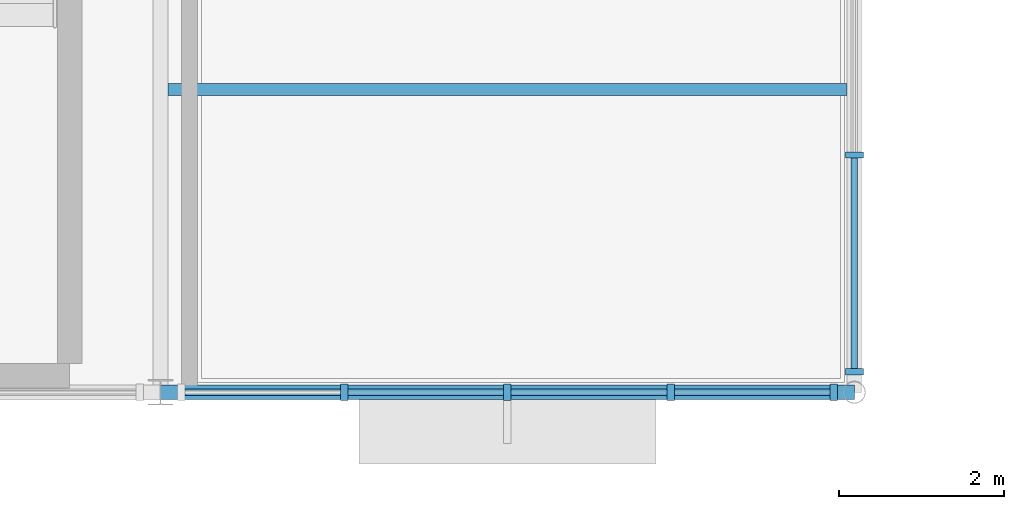
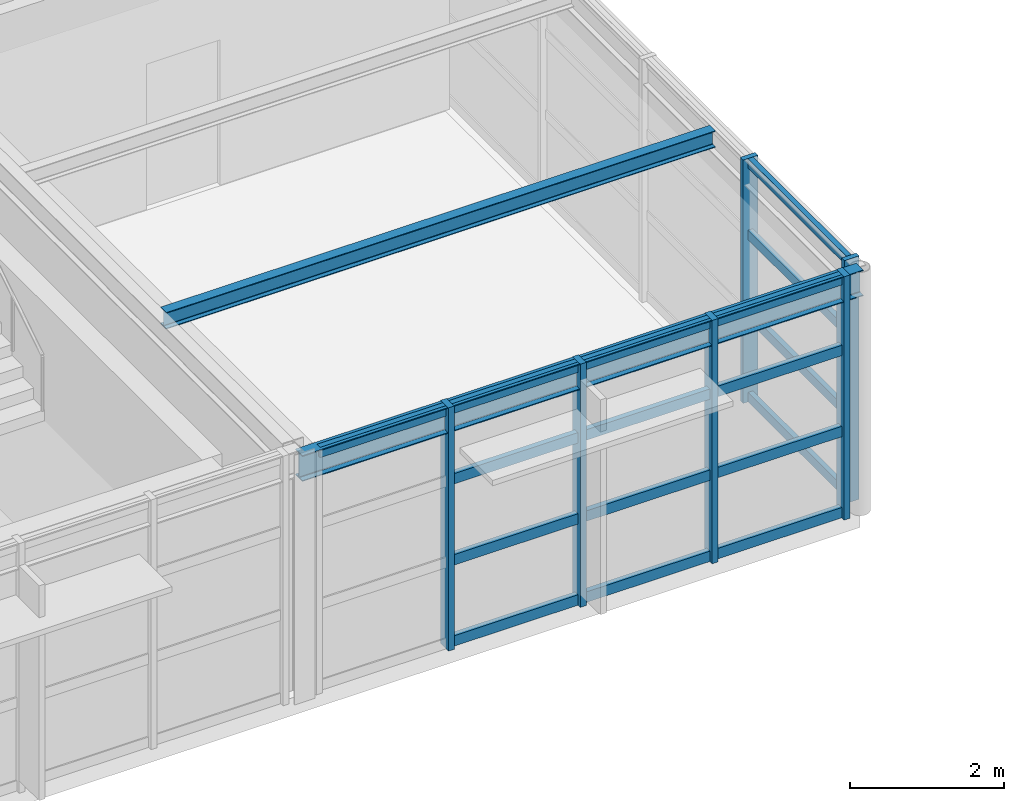
# One storey, part 7 of 21: 23 members, 2 beams, 2 elements without a shape of their own.
"""IFC4 building model written with IfcOpenShell, lengths in metres."""

from ifc_helpers import new_model, si_unit, direction, frame, origin, origin_2d, place, context, subcontext, project, spatial, rectangle, i_section, extrude, material, layer, layer_set, material_profile, profile_set, type_object, element, aggregate, save


model = new_model("IFC4")

# Units and contexts
model_context = context("Model", 3, precision=1e-05, world=origin(), true_north=direction((0.0, 1.0)))
body_context = subcontext(model_context, "Body", "Model", "MODEL_VIEW")
ifc_project = project(units=[si_unit("LENGTHUNIT", "METRE"), si_unit("AREAUNIT", "SQUARE_METRE"), si_unit("VOLUMEUNIT", "CUBIC_METRE"), si_unit("PLANEANGLEUNIT", "RADIAN"), si_unit("MASSUNIT", "GRAM", prefix="KILO")], contexts=[model_context])

# Site, building, storey
site_placement = place(None, origin())
site = spatial("IfcSite", under=ifc_project, at=site_placement, CompositionType="ELEMENT")
building_placement = place(site_placement, origin())
building = spatial("IfcBuilding", under=site, at=building_placement, Name="Sitalva Quay Ferry Terminal", CompositionType="ELEMENT")
storey_placement = place(building_placement, frame((0.0, 0.0, 14.39990234375)))
storey = spatial("IfcBuildingStorey", under=building, at=storey_placement, Name="L04", CompositionType="ELEMENT", Elevation=14.39990234375)

# Beams
ifc_material_1 = material(Name="Structural Steel S355JR", Category="steel")
ifc_material_profile_1 = material_profile(ifc_material_1, i_section(OverallWidth=0.178955078125, OverallDepth=0.409912109375, WebThickness=0.0087890625, FlangeThickness=0.014404296875, FilletRadius=0.012939453125, at=origin_2d()), Name="W410x67")
ifc_profile_set_1 = profile_set([ifc_material_profile_1], Name="Structural Steel S355JR")
beam_type_1 = type_object("IfcBeamType", Name="Beam_W410x67", PredefinedType="BEAM", material=ifc_profile_set_1)
beam_1_placement = place(storey_placement, frame((117.60009765625, 78.0, 3.64501953125), z_axis=(1.0, 0.0, 0.0), x_axis=(0.0, 1.0, 0.0)))
element("IfcBeam", 1, at=beam_1_placement, inside=storey, type_object=beam_type_1, Name="L04 Primary X girder 1387", PredefinedType="BEAM", context=body_context, shape_type="SweptSolid", body=[
    extrude(i_section(OverallWidth=0.178955078125, OverallDepth=0.409912109375, WebThickness=0.0087890625, FlangeThickness=0.014404296875, FilletRadius=0.012939453125, at=origin_2d()), origin(), (0.0, 0.0, 1.0), 8.39990234375),
])
ifc_material_2 = material(Name="Structural Steel S355JR", Category="steel")
ifc_material_profile_2 = material_profile(ifc_material_2, i_section(OverallWidth=0.14697265625, OverallDepth=0.261962890625, WebThickness=0.006591796875, FlangeThickness=0.01123046875, FilletRadius=0.010009765625, at=origin_2d()), Name="W250x39")
ifc_profile_set_2 = profile_set([ifc_material_profile_2], Name="Structural Steel S355JR")
beam_type_2 = type_object("IfcBeamType", Name="Joist_W250x39", PredefinedType="JOIST", material=ifc_profile_set_2)
beam_2_placement = place(storey_placement, frame((117.689453125, 81.666748046875, 3.718994140625), z_axis=(1.0, 0.0, 0.0), x_axis=(0.0, 1.0, 0.0)))
element("IfcBeam", 2, at=beam_2_placement, inside=storey, type_object=beam_type_2, Name="L04 Secondary joist 1394", PredefinedType="JOIST", context=body_context, shape_type="SweptSolid", body=[
    extrude(i_section(OverallWidth=0.14697265625, OverallDepth=0.261962890625, WebThickness=0.006591796875, FlangeThickness=0.01123046875, FilletRadius=0.010009765625, at=origin_2d()), origin(), (0.0, 0.0, 1.0), 8.220947265625),
])

# Curtain wall, members
ifc_material_3 = material(Name="Anodised Aluminium & Low-E Glazing", Category="aluminium")
ifc_layer_1 = layer(ifc_material_3, 0.159912109375)
ifc_layer_set_1 = layer_set([ifc_layer_1], Name="Anodised Aluminium & Low-E Glazing")
curtain_wall_type_1 = type_object("IfcCurtainWallType", Name="CW_Office_Unitised", PredefinedType="USERDEFINED", material=ifc_layer_set_1)
curtain_wall_1_placement = place(storey_placement, origin())
curtain_wall_1 = element("IfcCurtainWall", 3, at=curtain_wall_1_placement, inside=storey, type_object=curtain_wall_type_1, Name="L04 pilotage east glazing (CW-L04-138)", ObjectType="CURTAIN_WALL", PredefinedType="USERDEFINED")
ifc_material_4 = material(Name="Anodised Aluminium 6063-T6", Category="aluminium")
ifc_material_profile_3 = material_profile(ifc_material_4, rectangle(XDim=0.074951171875, YDim=0.219970703125, at=origin_2d()), Name="ALU75x220")
ifc_profile_set_3 = profile_set([ifc_material_profile_3], Name="Anodised Aluminium 6063-T6")
member_type_1 = type_object("IfcMemberType", Name="Mullion_Alu_75x160", PredefinedType="MULLION", material=ifc_profile_set_3)
member_1_placement = place(storey_placement, frame((126.0, 78.25, 0.0), z_axis=(0.0, 0.0, 1.0), x_axis=(0.0, 1.0, 0.0)))
member_1 = element("IfcMember", 4, at=member_1_placement, type_object=member_type_1, Name="CW-L04-138-M0", PredefinedType="MULLION", context=body_context, shape_type="SweptSolid", body=[
    extrude(rectangle(XDim=0.074951171875, YDim=0.219970703125, at=origin_2d()), origin(), (0.0, 0.0, 1.0), 3.85009765625),
])
member_2_placement = place(storey_placement, frame((126.0, 80.875, 0.0), z_axis=(0.0, 0.0, 1.0), x_axis=(0.0, 1.0, 0.0)))
member_2 = element("IfcMember", 5, at=member_2_placement, type_object=member_type_1, Name="CW-L04-138-M1", PredefinedType="MULLION", context=body_context, shape_type="SweptSolid", body=[
    extrude(rectangle(XDim=0.074951171875, YDim=0.219970703125, at=origin_2d()), origin(), (0.0, 0.0, 1.0), 3.85009765625),
])

ifc_material_5 = material(Name="Anodised Aluminium & Low-E Glazing", Category="aluminium")
ifc_layer_2 = layer(ifc_material_5, 0.159912109375)
ifc_layer_set_2 = layer_set([ifc_layer_2], Name="Anodised Aluminium & Low-E Glazing")
curtain_wall_type_2 = type_object("IfcCurtainWallType", Name="CW_VTS_Sloped", PredefinedType="USERDEFINED", material=ifc_layer_set_2)
curtain_wall_2_placement = place(storey_placement, origin())
curtain_wall_2 = element("IfcCurtainWall", 6, at=curtain_wall_2_placement, inside=storey, type_object=curtain_wall_type_2, Name="L04 river navigation south glazing (CW-L04-148)", ObjectType="CURTAIN_WALL", PredefinedType="USERDEFINED")
ifc_material_6 = material(Name="Anodised Aluminium 6063-T6", Category="aluminium")
ifc_material_profile_4 = material_profile(ifc_material_6, rectangle(XDim=0.090087890625, YDim=0.199951171875, at=origin_2d()), Name="ALU90x200")
ifc_profile_set_4 = profile_set([ifc_material_profile_4], Name="Anodised Aluminium 6063-T6")
member_type_2 = type_object("IfcMemberType", Name="Mullion_Alu_90x200", PredefinedType="MULLION", material=ifc_profile_set_4)
member_3_placement = place(storey_placement, frame((119.824951171875, 78.0, 0.0), z_axis=(0.0, 0.0, 1.0), x_axis=(1.0, 0.0, 0.0)))
member_3 = element("IfcMember", 7, at=member_3_placement, type_object=member_type_2, Name="CW-L04-148-M1", PredefinedType="MULLION", context=body_context, shape_type="SweptSolid", body=[
    extrude(rectangle(XDim=0.090087890625, YDim=0.199951171875, at=origin_2d()), origin(), (0.0, 0.0, 1.0), 3.85009765625),
])
member_4_placement = place(storey_placement, frame((121.800048828125, 78.0, 0.0), z_axis=(0.0, 0.0, 1.0), x_axis=(1.0, 0.0, 0.0)))
member_4 = element("IfcMember", 8, at=member_4_placement, type_object=member_type_2, Name="CW-L04-148-M2", PredefinedType="MULLION", context=body_context, shape_type="SweptSolid", body=[
    extrude(rectangle(XDim=0.090087890625, YDim=0.199951171875, at=origin_2d()), origin(), (0.0, 0.0, 1.0), 3.85009765625),
])
member_5_placement = place(storey_placement, frame((123.77490234375, 78.0, 0.0), z_axis=(0.0, 0.0, 1.0), x_axis=(1.0, 0.0, 0.0)))
member_5 = element("IfcMember", 9, at=member_5_placement, type_object=member_type_2, Name="CW-L04-148-M3", PredefinedType="MULLION", context=body_context, shape_type="SweptSolid", body=[
    extrude(rectangle(XDim=0.090087890625, YDim=0.199951171875, at=origin_2d()), origin(), (0.0, 0.0, 1.0), 3.85009765625),
])
member_6_placement = place(storey_placement, frame((125.75, 78.0, 0.0), z_axis=(0.0, 0.0, 1.0), x_axis=(1.0, 0.0, 0.0)))
member_6 = element("IfcMember", 10, at=member_6_placement, type_object=member_type_2, Name="CW-L04-148-M4", PredefinedType="MULLION", context=body_context, shape_type="SweptSolid", body=[
    extrude(rectangle(XDim=0.090087890625, YDim=0.199951171875, at=origin_2d()), origin(), (0.0, 0.0, 1.0), 3.85009765625),
])

# Member
ifc_material_7 = material(Name="Anodised Aluminium 6063-T6", Category="aluminium")
ifc_material_profile_5 = material_profile(ifc_material_7, rectangle(XDim=0.074951171875, YDim=0.14990234375, at=origin_2d()), Name="ALU75x150")
ifc_profile_set_5 = profile_set([ifc_material_profile_5], Name="Anodised Aluminium 6063-T6")
member_type_3 = type_object("IfcMemberType", Name="Transom_Alu_75x140", PredefinedType="MULLION", material=ifc_profile_set_5)
member_7_placement = place(storey_placement, frame((126.0, 78.28759765625, 0.0751953125), z_axis=(0.0, 1.0, 0.0), x_axis=(-1.0, 0.0, 0.0)))
member_7 = element("IfcMember", 11, at=member_7_placement, type_object=member_type_3, Name="CW-L04-138-T0-0", ObjectType="TRANSOM", PredefinedType="USERDEFINED", context=body_context, shape_type="SweptSolid", body=[
    extrude(rectangle(XDim=0.074951171875, YDim=0.14990234375, at=origin_2d()), origin(), (0.0, 0.0, 1.0), 2.5498046875),
])

member_8_placement = place(storey_placement, frame((126.0, 78.28759765625, 1.3583984375), z_axis=(0.0, 1.0, 0.0), x_axis=(-1.0, 0.0, 0.0)))
member_8 = element("IfcMember", 12, at=member_8_placement, type_object=member_type_3, Name="CW-L04-138-T0-1", ObjectType="TRANSOM", PredefinedType="USERDEFINED", context=body_context, shape_type="SweptSolid", body=[
    extrude(rectangle(XDim=0.074951171875, YDim=0.14990234375, at=origin_2d()), origin(), (0.0, 0.0, 1.0), 2.5498046875),
])

member_9_placement = place(storey_placement, frame((126.0, 78.28759765625, 2.641845703125), z_axis=(0.0, 1.0, 0.0), x_axis=(-1.0, 0.0, 0.0)))
member_9 = element("IfcMember", 13, at=member_9_placement, type_object=member_type_3, Name="CW-L04-138-T0-2", ObjectType="TRANSOM", PredefinedType="USERDEFINED", context=body_context, shape_type="SweptSolid", body=[
    extrude(rectangle(XDim=0.074951171875, YDim=0.14990234375, at=origin_2d()), origin(), (0.0, 0.0, 1.0), 2.5498046875),
])

member_10_placement = place(storey_placement, frame((126.0, 78.28759765625, 3.775146484375), z_axis=(0.0, 1.0, 0.0), x_axis=(-1.0, 0.0, 0.0)))
member_10 = element("IfcMember", 14, at=member_10_placement, type_object=member_type_3, Name="CW-L04-138-T0-3", ObjectType="TRANSOM", PredefinedType="USERDEFINED", context=body_context, shape_type="SweptSolid", body=[
    extrude(rectangle(XDim=0.074951171875, YDim=0.14990234375, at=origin_2d()), origin(), (0.0, 0.0, 1.0), 2.5498046875),
])

aggregate(curtain_wall_1, [member_1, member_2, member_7, member_8, member_9, member_10])

ifc_material_8 = material(Name="Anodised Aluminium 6063-T6", Category="aluminium")
ifc_material_profile_6 = material_profile(ifc_material_8, rectangle(XDim=0.080078125, YDim=0.1650390625, at=origin_2d()), Name="ALU80x165")
ifc_profile_set_6 = profile_set([ifc_material_profile_6], Name="Anodised Aluminium 6063-T6")
member_type_4 = type_object("IfcMemberType", Name="Transom_Alu_80x165", PredefinedType="MULLION", material=ifc_profile_set_6)
member_11_placement = place(storey_placement, frame((117.89501953125, 78.0, 3.767578125), z_axis=(1.0, 0.0, 0.0), x_axis=(0.0, 1.0, 0.0)))
member_11 = element("IfcMember", 15, at=member_11_placement, type_object=member_type_4, Name="CW-L04-148-T0-3", ObjectType="TRANSOM", PredefinedType="USERDEFINED", context=body_context, shape_type="SweptSolid", body=[
    extrude(rectangle(XDim=0.080078125, YDim=0.1650390625, at=origin_2d()), origin(), (0.0, 0.0, 1.0), 1.885009765625),
])

member_12_placement = place(storey_placement, frame((119.8701171875, 78.0, 0.08251953125), z_axis=(1.0, 0.0, 0.0), x_axis=(0.0, 1.0, 0.0)))
member_12 = element("IfcMember", 16, at=member_12_placement, type_object=member_type_4, Name="CW-L04-148-T1-0", ObjectType="TRANSOM", PredefinedType="USERDEFINED", context=body_context, shape_type="SweptSolid", body=[
    extrude(rectangle(XDim=0.080078125, YDim=0.1650390625, at=origin_2d()), origin(), (0.0, 0.0, 1.0), 1.884765625),
])

member_13_placement = place(storey_placement, frame((119.8701171875, 78.0, 1.365966796875), z_axis=(1.0, 0.0, 0.0), x_axis=(0.0, 1.0, 0.0)))
member_13 = element("IfcMember", 17, at=member_13_placement, type_object=member_type_4, Name="CW-L04-148-T1-1", ObjectType="TRANSOM", PredefinedType="USERDEFINED", context=body_context, shape_type="SweptSolid", body=[
    extrude(rectangle(XDim=0.080078125, YDim=0.1650390625, at=origin_2d()), origin(), (0.0, 0.0, 1.0), 1.884765625),
])

member_14_placement = place(storey_placement, frame((119.8701171875, 78.0, 2.649169921875), z_axis=(1.0, 0.0, 0.0), x_axis=(0.0, 1.0, 0.0)))
member_14 = element("IfcMember", 18, at=member_14_placement, type_object=member_type_4, Name="CW-L04-148-T1-2", ObjectType="TRANSOM", PredefinedType="USERDEFINED", context=body_context, shape_type="SweptSolid", body=[
    extrude(rectangle(XDim=0.080078125, YDim=0.1650390625, at=origin_2d()), origin(), (0.0, 0.0, 1.0), 1.884765625),
])

member_15_placement = place(storey_placement, frame((119.8701171875, 78.0, 3.767578125), z_axis=(1.0, 0.0, 0.0), x_axis=(0.0, 1.0, 0.0)))
member_15 = element("IfcMember", 19, at=member_15_placement, type_object=member_type_4, Name="CW-L04-148-T1-3", ObjectType="TRANSOM", PredefinedType="USERDEFINED", context=body_context, shape_type="SweptSolid", body=[
    extrude(rectangle(XDim=0.080078125, YDim=0.1650390625, at=origin_2d()), origin(), (0.0, 0.0, 1.0), 1.884765625),
])

member_16_placement = place(storey_placement, frame((121.844970703125, 78.0, 0.08251953125), z_axis=(1.0, 0.0, 0.0), x_axis=(0.0, 1.0, 0.0)))
member_16 = element("IfcMember", 20, at=member_16_placement, type_object=member_type_4, Name="CW-L04-148-T2-0", ObjectType="TRANSOM", PredefinedType="USERDEFINED", context=body_context, shape_type="SweptSolid", body=[
    extrude(rectangle(XDim=0.080078125, YDim=0.1650390625, at=origin_2d()), origin(), (0.0, 0.0, 1.0), 1.885009765625),
])

member_17_placement = place(storey_placement, frame((121.844970703125, 78.0, 1.365966796875), z_axis=(1.0, 0.0, 0.0), x_axis=(0.0, 1.0, 0.0)))
member_17 = element("IfcMember", 21, at=member_17_placement, type_object=member_type_4, Name="CW-L04-148-T2-1", ObjectType="TRANSOM", PredefinedType="USERDEFINED", context=body_context, shape_type="SweptSolid", body=[
    extrude(rectangle(XDim=0.080078125, YDim=0.1650390625, at=origin_2d()), origin(), (0.0, 0.0, 1.0), 1.885009765625),
])

member_18_placement = place(storey_placement, frame((121.844970703125, 78.0, 2.649169921875), z_axis=(1.0, 0.0, 0.0), x_axis=(0.0, 1.0, 0.0)))
member_18 = element("IfcMember", 22, at=member_18_placement, type_object=member_type_4, Name="CW-L04-148-T2-2", ObjectType="TRANSOM", PredefinedType="USERDEFINED", context=body_context, shape_type="SweptSolid", body=[
    extrude(rectangle(XDim=0.080078125, YDim=0.1650390625, at=origin_2d()), origin(), (0.0, 0.0, 1.0), 1.885009765625),
])

member_19_placement = place(storey_placement, frame((121.844970703125, 78.0, 3.767578125), z_axis=(1.0, 0.0, 0.0), x_axis=(0.0, 1.0, 0.0)))
member_19 = element("IfcMember", 23, at=member_19_placement, type_object=member_type_4, Name="CW-L04-148-T2-3", ObjectType="TRANSOM", PredefinedType="USERDEFINED", context=body_context, shape_type="SweptSolid", body=[
    extrude(rectangle(XDim=0.080078125, YDim=0.1650390625, at=origin_2d()), origin(), (0.0, 0.0, 1.0), 1.885009765625),
])

member_20_placement = place(storey_placement, frame((123.820068359375, 78.0, 0.08251953125), z_axis=(1.0, 0.0, 0.0), x_axis=(0.0, 1.0, 0.0)))
member_20 = element("IfcMember", 24, at=member_20_placement, type_object=member_type_4, Name="CW-L04-148-T3-0", ObjectType="TRANSOM", PredefinedType="USERDEFINED", context=body_context, shape_type="SweptSolid", body=[
    extrude(rectangle(XDim=0.080078125, YDim=0.1650390625, at=origin_2d()), origin(), (0.0, 0.0, 1.0), 1.885009765625),
])

member_21_placement = place(storey_placement, frame((123.820068359375, 78.0, 1.365966796875), z_axis=(1.0, 0.0, 0.0), x_axis=(0.0, 1.0, 0.0)))
member_21 = element("IfcMember", 25, at=member_21_placement, type_object=member_type_4, Name="CW-L04-148-T3-1", ObjectType="TRANSOM", PredefinedType="USERDEFINED", context=body_context, shape_type="SweptSolid", body=[
    extrude(rectangle(XDim=0.080078125, YDim=0.1650390625, at=origin_2d()), origin(), (0.0, 0.0, 1.0), 1.885009765625),
])

member_22_placement = place(storey_placement, frame((123.820068359375, 78.0, 2.649169921875), z_axis=(1.0, 0.0, 0.0), x_axis=(0.0, 1.0, 0.0)))
member_22 = element("IfcMember", 26, at=member_22_placement, type_object=member_type_4, Name="CW-L04-148-T3-2", ObjectType="TRANSOM", PredefinedType="USERDEFINED", context=body_context, shape_type="SweptSolid", body=[
    extrude(rectangle(XDim=0.080078125, YDim=0.1650390625, at=origin_2d()), origin(), (0.0, 0.0, 1.0), 1.885009765625),
])

member_23_placement = place(storey_placement, frame((123.820068359375, 78.0, 3.767578125), z_axis=(1.0, 0.0, 0.0), x_axis=(0.0, 1.0, 0.0)))
member_23 = element("IfcMember", 27, at=member_23_placement, type_object=member_type_4, Name="CW-L04-148-T3-3", ObjectType="TRANSOM", PredefinedType="USERDEFINED", context=body_context, shape_type="SweptSolid", body=[
    extrude(rectangle(XDim=0.080078125, YDim=0.1650390625, at=origin_2d()), origin(), (0.0, 0.0, 1.0), 1.885009765625),
])

aggregate(curtain_wall_2, [member_3, member_4, member_5, member_6, member_11, member_12, member_13, member_14, member_15, member_16, member_17, member_18, member_19, member_20, member_21, member_22, member_23])

save(model, "model.ifc")
